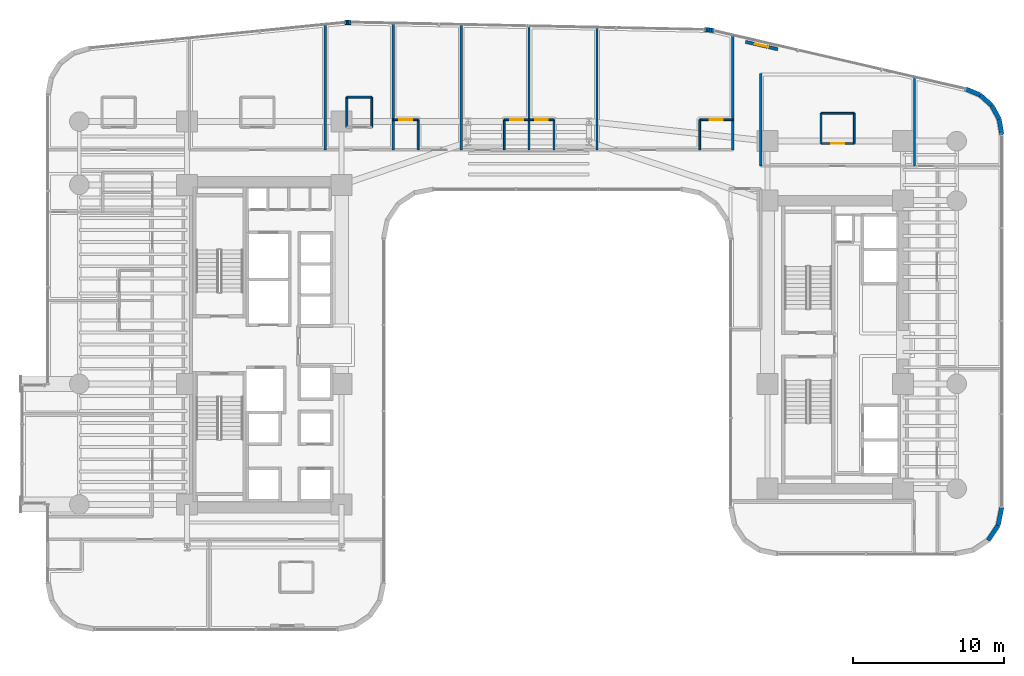
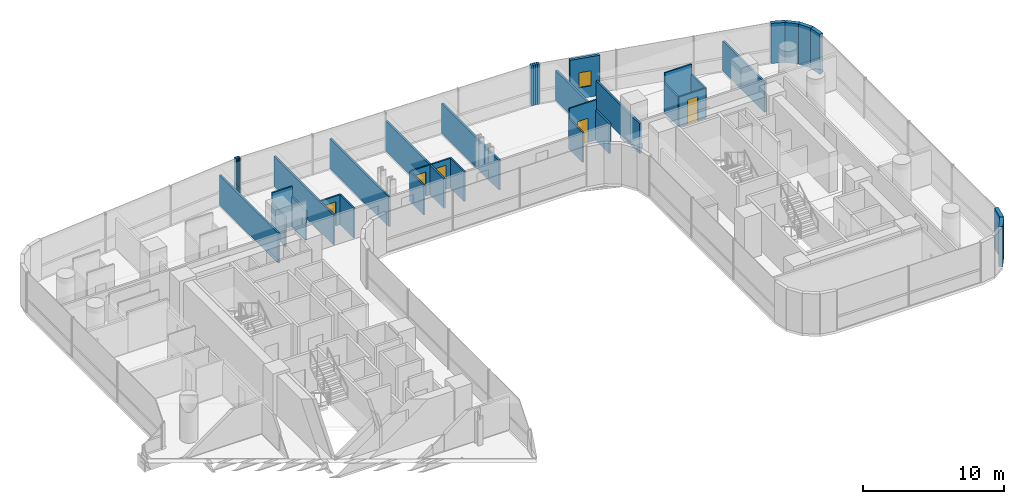
# One storey, part 34 of 40: 38 walls, 5 doors, 1 window, 6 openings.
"""IFC4 building model written with IfcOpenShell, lengths in metres."""

from ifc_helpers import new_model, si_unit, direction, frame, frame_2d, origin, place, context, subcontext, project, spatial, rectangle, extrude, material, layer, layer_set, type_object, element, fill, save


model = new_model("IFC4")

# Units and contexts
model_context = context("Model", 3, precision=1e-05, world=origin(), true_north=direction((0.0, 1.0)))
body_context = subcontext(model_context, "Body", "Model", "MODEL_VIEW")
ifc_project = project(units=[si_unit("LENGTHUNIT", "METRE"), si_unit("AREAUNIT", "SQUARE_METRE"), si_unit("VOLUMEUNIT", "CUBIC_METRE"), si_unit("PLANEANGLEUNIT", "RADIAN"), si_unit("MASSUNIT", "GRAM", prefix="KILO")], contexts=[model_context])

# Site, building, storey
site_placement = place(None, origin())
site = spatial("IfcSite", under=ifc_project, at=site_placement, CompositionType="ELEMENT")
building_placement = place(site_placement, origin())
building = spatial("IfcBuilding", under=site, at=building_placement, Name="Valdorenza Pilgrim Sanctuary Tower", CompositionType="ELEMENT")
storey_placement = place(building_placement, frame((0.0, 0.0, 92.60009765625)))
storey = spatial("IfcBuildingStorey", under=building, at=storey_placement, Name="L23", CompositionType="ELEMENT", Elevation=92.60009765625)

# Walls
ifc_material_1 = material(Name="Acoustic twin-stud gypsum partition", Category="gypsum")
ifc_layer_1 = layer(ifc_material_1, 0.159912109375, Name="Acoustic twin-stud gypsum partition")
ifc_layer_set_1 = layer_set([ifc_layer_1], Name="Acoustic twin-stud gypsum partition")
wall_type_1 = type_object("IfcWallType", Name="WAL-COR-160", PredefinedType="PARTITIONING", material=ifc_layer_set_1)
wall_1_placement = place(storey_placement, frame((13.550048828125, 12.919921875, 0.0), z_axis=(0.0, 0.0, 1.0), x_axis=(0.0, 1.0, 0.0)))
element("IfcWall", 1, at=wall_1_placement, inside=storey, type_object=wall_type_1, Name="L23 North Band East Closure", PredefinedType="PARTITIONING", context=body_context, shape_type="SweptSolid", body=[
    extrude(rectangle(XDim=7.609375, YDim=0.159912109375, at=frame_2d((3.8046875, 0.0))), origin(), (0.0, 0.0, 1.0), 2.5830078125),
])
wall_2_placement = place(storey_placement, frame((15.39990234375, 11.85009765625, 0.0), z_axis=(0.0, 0.0, 1.0), x_axis=(0.0, 1.0, 0.0)))
element("IfcWall", 2, at=wall_2_placement, inside=storey, type_object=wall_type_1, Name="L23 Wing B North West Wall", PredefinedType="PARTITIONING", context=body_context, shape_type="SweptSolid", body=[
    extrude(rectangle(XDim=6.14990234375, YDim=0.159912109375, at=frame_2d((3.074951171875, 0.0))), origin(), (0.0, 0.0, 1.0), 2.5830078125),
])
wall_3_placement = place(storey_placement, frame((25.60009765625, 11.85009765625, 0.0), z_axis=(0.0, 0.0, 1.0), x_axis=(0.0, 1.0, 0.0)))
element("IfcWall", 3, at=wall_3_placement, inside=storey, type_object=wall_type_1, Name="L23 Wing B North East Wall", PredefinedType="PARTITIONING", context=body_context, shape_type="SweptSolid", body=[
    extrude(rectangle(XDim=5.8984375, YDim=0.159912109375, at=frame_2d((2.94921875, 0.0))), origin(), (0.0, 0.0, 1.0), 2.5830078125),
])
ifc_material_2 = material(Name="Honed travertine limestone", Category="masonry")
ifc_layer_2 = layer(ifc_material_2, 0.300048828125, Name="Honed travertine limestone")
ifc_layer_set_2 = layer_set([ifc_layer_2], Name="Honed travertine limestone")
wall_type_2 = type_object("IfcWallType", Name="WAL-EXT-300", PredefinedType="SOLIDWALL", material=ifc_layer_set_2)
wall_4_placement = place(storey_placement, frame((-12.181884765625, 21.371337890625, 0.0), z_axis=(0.0, 0.0, 1.0), x_axis=(0.996527790842, 0.08326080759, 0.0)))
element("IfcWall", 4, at=wall_4_placement, inside=storey, type_object=wall_type_2, Name="L23 Rounded Wind-Corner Stone Pier 7", PredefinedType="SOLIDWALL", context=body_context, shape_type="SweptSolid", body=[
    extrude(rectangle(XDim=0.09375, YDim=0.300048828125, at=frame_2d((0.046875, 0.0))), origin(), (0.0, 0.0, 1.0), 3.4599609375),
])
wall_5_placement = place(storey_placement, frame((-12.08837890625, 21.379150390625, 0.0), z_axis=(0.0, 0.0, 1.0), x_axis=(0.998476480444, 0.055178963393, 0.0)))
element("IfcWall", 5, at=wall_5_placement, inside=storey, type_object=wall_type_2, Name="L23 Rounded Wind-Corner Stone Pier 8", PredefinedType="SOLIDWALL", context=body_context, shape_type="SweptSolid", body=[
    extrude(rectangle(XDim=0.093017578125, YDim=0.300048828125, at=frame_2d((0.04638671875, 0.0))), origin(), (0.0, 0.0, 1.0), 3.4599609375),
])
wall_6_placement = place(storey_placement, frame((-11.99560546875, 21.38427734375, 0.0), z_axis=(0.0, 0.0, 1.0), x_axis=(0.999722573757, 0.023553673204, 0.0)))
element("IfcWall", 6, at=wall_6_placement, inside=storey, type_object=wall_type_2, Name="L23 Rounded Wind-Corner Stone Pier 9", PredefinedType="SOLIDWALL", context=body_context, shape_type="SweptSolid", body=[
    extrude(rectangle(XDim=0.09326171875, YDim=0.300048828125, at=frame_2d((0.046630859375, 0.0))), origin(), (0.0, 0.0, 1.0), 3.4599609375),
])
wall_7_placement = place(storey_placement, frame((-11.90234375, 21.386474609375, 0.0), z_axis=(0.0, 0.0, 1.0), x_axis=(0.999986507273, -0.005194735103, 0.0)))
element("IfcWall", 7, at=wall_7_placement, inside=storey, type_object=wall_type_2, Name="L23 Rounded Wind-Corner Stone Pier 10", PredefinedType="SOLIDWALL", context=body_context, shape_type="SweptSolid", body=[
    extrude(rectangle(XDim=0.093994140625, YDim=0.300048828125, at=frame_2d((0.046875, 0.0))), origin(), (0.0, 0.0, 1.0), 3.4599609375),
])
wall_8_placement = place(storey_placement, frame((11.665771484375, 20.89697265625, 0.0), z_axis=(0.0, 0.0, 1.0), x_axis=(0.998885297239, -0.047203421059, 0.0)))
element("IfcWall", 8, at=wall_8_placement, inside=storey, type_object=wall_type_2, Name="L23 Rounded Wind-Corner Stone Pier 12", PredefinedType="SOLIDWALL", context=body_context, shape_type="SweptSolid", body=[
    extrude(rectangle(XDim=0.160400390625, YDim=0.300048828125, at=frame_2d((0.080078125, 0.0))), origin(), (0.0, 0.0, 1.0), 3.4599609375),
])
wall_9_placement = place(storey_placement, frame((11.825927734375, 20.889404296875, 0.0), z_axis=(0.0, 0.0, 1.0), x_axis=(0.995172891136, -0.098137234257, 0.0)))
element("IfcWall", 9, at=wall_9_placement, inside=storey, type_object=wall_type_2, Name="L23 Rounded Wind-Corner Stone Pier 13", PredefinedType="SOLIDWALL", context=body_context, shape_type="SweptSolid", body=[
    extrude(rectangle(XDim=0.1591796875, YDim=0.300048828125, at=frame_2d((0.07958984375, 0.0))), origin(), (0.0, 0.0, 1.0), 3.4599609375),
])
wall_10_placement = place(storey_placement, frame((11.984375, 20.873779296875, 0.0), z_axis=(0.0, 0.0, 1.0), x_axis=(0.988846069207, -0.148941100486, 0.0)))
element("IfcWall", 10, at=wall_10_placement, inside=storey, type_object=wall_type_2, Name="L23 Rounded Wind-Corner Stone Pier 14", PredefinedType="SOLIDWALL", context=body_context, shape_type="SweptSolid", body=[
    extrude(rectangle(XDim=0.158935546875, YDim=0.300048828125, at=frame_2d((0.07958984375, 0.0))), origin(), (0.0, 0.0, 1.0), 3.4599609375),
])
wall_11_placement = place(storey_placement, frame((12.1416015625, 20.85009765625, 0.0), z_axis=(0.0, 0.0, 1.0), x_axis=(0.979991950448, -0.19903712482, 0.0)))
element("IfcWall", 11, at=wall_11_placement, inside=storey, type_object=wall_type_2, Name="L23 Rounded Wind-Corner Stone Pier 15", PredefinedType="SOLIDWALL", context=body_context, shape_type="SweptSolid", body=[
    extrude(rectangle(XDim=0.16064453125, YDim=0.300048828125, at=frame_2d((0.080322265625, 0.0))), origin(), (0.0, 0.0, 1.0), 3.4599609375),
])

# Wall, opening, window
wall_12_placement = place(storey_placement, frame((14.388671875, 20.089599609375, 0.0), z_axis=(0.0, 0.0, 1.0), x_axis=(0.974400545997, -0.224818984875, 0.0)))
wall_12 = element("IfcWall", 12, at=wall_12_placement, inside=storey, type_object=wall_type_2, Name="L23 Operable Ventilation Sash Jamb Pier", PredefinedType="SOLIDWALL", context=body_context, shape_type="SweptSolid", body=[
    extrude(rectangle(XDim=2.2001953125, YDim=0.219970703125, at=frame_2d((1.10009765625, 0.0))), origin(), (0.0, 0.0, 1.0), 3.4599609375),
])
opening_1_placement = place(wall_12_placement, frame((0.64990234375, 0.0, 0.949951171875)))
opening_1 = element("IfcOpeningElement", 13, at=opening_1_placement, cuts=wall_12, Name="Opening WN-OP1", PredefinedType="OPENING", context=body_context, shape_type="SweptSolid", body=[
    extrude(rectangle(XDim=0.89990234375, YDim=1.300048828125, at=frame_2d((0.449951171875, 0.64990234375))), frame((0.0, 0.125, 0.0), z_axis=(0.0, -1.0, 0.0), x_axis=(1.0, 0.0, 0.0)), (0.0, 0.0, 1.0), 0.249755859375),
])
ifc_material_3 = material(Name="Ceramic-fritted low-E IGU glazing", Category="glass")
window_type = type_object("IfcWindowType", Name="WIN-OPN-900", PartitioningType="SINGLE_PANEL", PredefinedType="WINDOW", material=ifc_material_3)
window_placement = place(opening_1_placement, origin())
window = element("IfcWindow", 14, at=window_placement, inside=storey, type_object=window_type, Name="L23 Parallel-Pop-Out Operable Facade Panel", OverallHeight=1.300048828125, OverallWidth=0.89990234375, PartitioningType="SINGLE_PANEL", PredefinedType="WINDOW", context=body_context, shape_type="SweptSolid", body=[
    extrude(rectangle(XDim=0.89990234375, YDim=1.300048828125, at=frame_2d((0.449951171875, 0.64990234375))), frame((0.0, 0.030029296875, 0.0), z_axis=(0.0, -1.0, 0.0), x_axis=(1.0, 0.0, 0.0)), (0.0, 0.0, 1.0), 0.06005859375),
])
fill(opening_1, window)

# Walls
wall_13_placement = place(storey_placement, frame((28.98583984375, 16.96728515625, 0.0), z_axis=(0.0, 0.0, 1.0), x_axis=(0.923083852684, -0.384598753136, 0.0)))
element("IfcWall", 15, at=wall_13_placement, inside=storey, type_object=wall_type_2, Name="L23 Rounded Wind-Corner Stone Pier 17", PredefinedType="SOLIDWALL", context=body_context, shape_type="SweptSolid", body=[
    extrude(rectangle(XDim=1.042236328125, YDim=0.300048828125, at=frame_2d((0.52099609375, 0.0))), origin(), (0.0, 0.0, 1.0), 3.4599609375),
])
wall_14_placement = place(storey_placement, frame((29.947998046875, 16.56640625, 0.0), z_axis=(0.0, 0.0, 1.0), x_axis=(0.744585645533, -0.66752694063, 0.0)))
element("IfcWall", 16, at=wall_14_placement, inside=storey, type_object=wall_type_2, Name="L23 Rounded Wind-Corner Stone Pier 18", PredefinedType="SOLIDWALL", context=body_context, shape_type="SweptSolid", body=[
    extrude(rectangle(XDim=1.032958984375, YDim=0.300048828125, at=frame_2d((0.5166015625, 0.0))), origin(), (0.0, 0.0, 1.0), 3.4599609375),
])
wall_15_placement = place(storey_placement, frame((30.717041015625, 15.876953125, 0.0), z_axis=(0.0, 0.0, 1.0), x_axis=(0.482971098131, -0.875636293429, 0.0)))
element("IfcWall", 17, at=wall_15_placement, inside=storey, type_object=wall_type_2, Name="L23 Rounded Wind-Corner Stone Pier 19", PredefinedType="SOLIDWALL", context=body_context, shape_type="SweptSolid", body=[
    extrude(rectangle(XDim=1.03271484375, YDim=0.300048828125, at=frame_2d((0.516357421875, 0.0))), origin(), (0.0, 0.0, 1.0), 3.4599609375),
])
wall_16_placement = place(storey_placement, frame((31.2158203125, 14.97265625, 0.0), z_axis=(0.0, 0.0, 1.0), x_axis=(0.167019462117, -0.985953598946, 0.0)))
element("IfcWall", 18, at=wall_16_placement, inside=storey, type_object=wall_type_2, Name="L23 Rounded Wind-Corner Stone Pier 20", PredefinedType="SOLIDWALL", context=body_context, shape_type="SweptSolid", body=[
    extrude(rectangle(XDim=1.042236328125, YDim=0.300048828125, at=frame_2d((0.52099609375, 0.0))), origin(), (0.0, 0.0, 1.0), 3.4599609375),
])
wall_17_placement = place(storey_placement, frame((31.389892578125, -10.789306640625, 0.0), z_axis=(0.0, 0.0, 1.0), x_axis=(-0.194996050505, -0.980804027463, 0.0)))
element("IfcWall", 19, at=wall_17_placement, inside=storey, type_object=wall_type_2, Name="L23 Rounded Wind-Corner Stone Pier 22", PredefinedType="SOLIDWALL", context=body_context, shape_type="SweptSolid", body=[
    extrude(rectangle(XDim=1.2158203125, YDim=0.300048828125, at=frame_2d((0.60791015625, 0.0))), origin(), (0.0, 0.0, 1.0), 3.4599609375),
])
wall_18_placement = place(storey_placement, frame((31.15283203125, -11.981689453125, 0.0), z_axis=(0.0, 0.0, 1.0), x_axis=(-0.555635100982, -0.831426265255, 0.0)))
element("IfcWall", 20, at=wall_18_placement, inside=storey, type_object=wall_type_2, Name="L23 Rounded Wind-Corner Stone Pier 23", PredefinedType="SOLIDWALL", context=body_context, shape_type="SweptSolid", body=[
    extrude(rectangle(XDim=1.204833984375, YDim=0.300048828125, at=frame_2d((0.6025390625, 0.0))), origin(), (0.0, 0.0, 1.0), 3.4599609375),
])
ifc_material_4 = material(Name="Moisture-resistant gypsum partition", Category="gypsum")
ifc_layer_3 = layer(ifc_material_4, 0.1201171875, Name="Moisture-resistant gypsum partition")
ifc_layer_set_3 = layer_set([ifc_layer_3], Name="Moisture-resistant gypsum partition")
wall_type_3 = type_object("IfcWallType", Name="WAL-INT-120", PredefinedType="PARTITIONING", material=ifc_layer_set_3)
for number, where, z_axis, x_axis, name in (
    (21, (-12.052490234375, 14.419921875, 0.0), (0.0, 0.0, 1.0), (0.0, 1.0, 0.0), "L23 North Guest Room L23-N3A En-suite West Wall"),
    (22, (-10.402587890625, 14.419921875, 0.0), (0.0, 0.0, 1.0), (0.0, 1.0, 0.0), "L23 North Guest Room L23-N3A En-suite East Wall"),
):
    element("IfcWall", number, at=place(storey_placement, frame(where, z_axis=z_axis, x_axis=x_axis)), inside=storey, type_object=wall_type_3, Name=name, PredefinedType="PARTITIONING", context=body_context, shape_type="SweptSolid", body=[
        extrude(rectangle(XDim=2.0, YDim=0.1201171875, at=frame_2d((1.0, 0.0))), origin(), (0.0, 0.0, 1.0), 2.5830078125),
    ])
wall_19_placement = place(storey_placement, frame((-12.052490234375, 16.419921875, 0.0), z_axis=(0.0, 0.0, 1.0), x_axis=(1.0, 0.0, 0.0)))
element("IfcWall", 23, at=wall_19_placement, inside=storey, type_object=wall_type_3, Name="L23 North Guest Room L23-N3A En-suite Back Wall", PredefinedType="PARTITIONING", context=body_context, shape_type="SweptSolid", body=[
    extrude(rectangle(XDim=1.64990234375, YDim=0.1201171875, at=frame_2d((0.824951171875, 0.0))), origin(), (0.0, 0.0, 1.0), 3.4599609375),
])
wall_20_placement = place(storey_placement, frame((-7.324951171875, 12.919921875, 0.0), z_axis=(0.0, 0.0, 1.0), x_axis=(0.0, 1.0, 0.0)))
element("IfcWall", 24, at=wall_20_placement, inside=storey, type_object=wall_type_3, Name="L23 North Guest Room L23-N3B En-suite East Wall", PredefinedType="PARTITIONING", context=body_context, shape_type="SweptSolid", body=[
    extrude(rectangle(XDim=2.0, YDim=0.1201171875, at=frame_2d((1.0, 0.0))), origin(), (0.0, 0.0, 1.0), 2.5830078125),
])

# Wall, opening, door
wall_21_placement = place(storey_placement, frame((-8.97509765625, 14.919921875, 0.0), z_axis=(0.0, 0.0, 1.0), x_axis=(1.0, 0.0, 0.0)))
wall_21 = element("IfcWall", 25, at=wall_21_placement, inside=storey, type_object=wall_type_3, Name="L23 North Guest Room L23-N3B En-suite Door Wall", PredefinedType="PARTITIONING", context=body_context, shape_type="SweptSolid", body=[
    extrude(rectangle(XDim=1.650146484375, YDim=0.1201171875, at=frame_2d((0.8251953125, 0.0))), origin(), (0.0, 0.0, 1.0), 2.5830078125),
])
opening_2_placement = place(wall_21_placement, frame((0.39990234375, 0.0, 0.0)))
opening_2 = element("IfcOpeningElement", 26, at=opening_2_placement, cuts=wall_21, Name="Opening DR-WC1", PredefinedType="OPENING", context=body_context, shape_type="SweptSolid", body=[
    extrude(rectangle(XDim=0.85009765625, YDim=2.10009765625, at=frame_2d((0.425048828125, 1.050048828125))), frame((0.0, 0.074951171875, 0.0), z_axis=(0.0, -1.0, 0.0), x_axis=(1.0, 0.0, 0.0)), (0.0, 0.0, 1.0), 0.14990234375),
])
ifc_material_5 = material(Name="Moisture-resistant lacquered timber", Category="wood")
door_type = type_object("IfcDoorType", Name="DR-BATH-850", OperationType="NOTDEFINED", PredefinedType="DOOR", material=ifc_material_5)
door_1_placement = place(opening_2_placement, origin())
door_1 = element("IfcDoor", 27, at=door_1_placement, inside=storey, type_object=door_type, Name="L23 North Guest Room L23-N3B En-suite Bathroom Door", OperationType="SINGLE_SWING_RIGHT", OverallHeight=2.10009765625, OverallWidth=0.85009765625, PredefinedType="DOOR", context=body_context, shape_type="SweptSolid", body=[
    extrude(rectangle(XDim=0.85009765625, YDim=2.10009765625, at=frame_2d((0.425048828125, 1.050048828125))), frame((0.0, 0.02490234375, 0.0), z_axis=(0.0, -1.0, 0.0), x_axis=(1.0, 0.0, 0.0)), (0.0, 0.0, 1.0), 0.050048828125),
])
fill(opening_2, door_1)

# Wall
wall_22_placement = place(storey_placement, frame((-1.614990234375, 12.919921875, 0.0), z_axis=(0.0, 0.0, 1.0), x_axis=(0.0, 1.0, 0.0)))
element("IfcWall", 28, at=wall_22_placement, inside=storey, type_object=wall_type_3, Name="L23 North Guest Room L23-N4A En-suite West Wall", PredefinedType="PARTITIONING", context=body_context, shape_type="SweptSolid", body=[
    extrude(rectangle(XDim=2.0, YDim=0.1201171875, at=frame_2d((1.0, 0.0))), origin(), (0.0, 0.0, 1.0), 2.5830078125),
])

# Wall, opening, door
wall_23_placement = place(storey_placement, frame((-1.614990234375, 14.919921875, 0.0), z_axis=(0.0, 0.0, 1.0), x_axis=(1.0, 0.0, 0.0)))
wall_23 = element("IfcWall", 29, at=wall_23_placement, inside=storey, type_object=wall_type_3, Name="L23 North Guest Room L23-N4A En-suite Door Wall", PredefinedType="PARTITIONING", context=body_context, shape_type="SweptSolid", body=[
    extrude(rectangle(XDim=1.64990234375, YDim=0.1201171875, at=frame_2d((0.824951171875, 0.0))), origin(), (0.0, 0.0, 1.0), 2.5830078125),
])
opening_3_placement = place(wall_23_placement, frame((0.39990234375, 0.0, 0.0)))
opening_3 = element("IfcOpeningElement", 30, at=opening_3_placement, cuts=wall_23, Name="Opening DR-WC1", PredefinedType="OPENING", context=body_context, shape_type="SweptSolid", body=[
    extrude(rectangle(XDim=0.85009765625, YDim=2.10009765625, at=frame_2d((0.425048828125, 1.050048828125))), frame((0.0, 0.074951171875, 0.0), z_axis=(0.0, -1.0, 0.0), x_axis=(1.0, 0.0, 0.0)), (0.0, 0.0, 1.0), 0.14990234375),
])
door_2_placement = place(opening_3_placement, origin())
door_2 = element("IfcDoor", 31, at=door_2_placement, inside=storey, type_object=door_type, Name="L23 North Guest Room L23-N4A En-suite Bathroom Door", OperationType="SINGLE_SWING_RIGHT", OverallHeight=2.10009765625, OverallWidth=0.85009765625, PredefinedType="DOOR", context=body_context, shape_type="SweptSolid", body=[
    extrude(rectangle(XDim=0.85009765625, YDim=2.10009765625, at=frame_2d((0.425048828125, 1.050048828125))), frame((0.0, 0.02490234375, 0.0), z_axis=(0.0, -1.0, 0.0), x_axis=(1.0, 0.0, 0.0)), (0.0, 0.0, 1.0), 0.050048828125),
])
fill(opening_3, door_2)

# Wall
wall_24_placement = place(storey_placement, frame((1.68505859375, 12.919921875, 0.0), z_axis=(0.0, 0.0, 1.0), x_axis=(0.0, 1.0, 0.0)))
element("IfcWall", 32, at=wall_24_placement, inside=storey, type_object=wall_type_3, Name="L23 North Guest Room L23-N4B En-suite East Wall", PredefinedType="PARTITIONING", context=body_context, shape_type="SweptSolid", body=[
    extrude(rectangle(XDim=2.0, YDim=0.1201171875, at=frame_2d((1.0, 0.0))), origin(), (0.0, 0.0, 1.0), 2.5830078125),
])

# Wall, opening, door
wall_25_placement = place(storey_placement, frame((0.034912109375, 14.919921875, 0.0), z_axis=(0.0, 0.0, 1.0), x_axis=(1.0, 0.0, 0.0)))
wall_25 = element("IfcWall", 33, at=wall_25_placement, inside=storey, type_object=wall_type_3, Name="L23 North Guest Room L23-N4B En-suite Door Wall", PredefinedType="PARTITIONING", context=body_context, shape_type="SweptSolid", body=[
    extrude(rectangle(XDim=1.650146484375, YDim=0.1201171875, at=frame_2d((0.8251953125, 0.0))), origin(), (0.0, 0.0, 1.0), 2.5830078125),
])
opening_4_placement = place(wall_25_placement, frame((0.39990234375, 0.0, 0.0)))
opening_4 = element("IfcOpeningElement", 34, at=opening_4_placement, cuts=wall_25, Name="Opening DR-WC1", PredefinedType="OPENING", context=body_context, shape_type="SweptSolid", body=[
    extrude(rectangle(XDim=0.85009765625, YDim=2.10009765625, at=frame_2d((0.425048828125, 1.050048828125))), frame((0.0, 0.074951171875, 0.0), z_axis=(0.0, -1.0, 0.0), x_axis=(1.0, 0.0, 0.0)), (0.0, 0.0, 1.0), 0.14990234375),
])
door_3_placement = place(opening_4_placement, origin())
door_3 = element("IfcDoor", 35, at=door_3_placement, inside=storey, type_object=door_type, Name="L23 North Guest Room L23-N4B En-suite Bathroom Door", OperationType="SINGLE_SWING_RIGHT", OverallHeight=2.10009765625, OverallWidth=0.85009765625, PredefinedType="DOOR", context=body_context, shape_type="SweptSolid", body=[
    extrude(rectangle(XDim=0.85009765625, YDim=2.10009765625, at=frame_2d((0.425048828125, 1.050048828125))), frame((0.0, 0.02490234375, 0.0), z_axis=(0.0, -1.0, 0.0), x_axis=(1.0, 0.0, 0.0)), (0.0, 0.0, 1.0), 0.050048828125),
])
fill(opening_4, door_3)

# Wall
wall_26_placement = place(storey_placement, frame((11.35009765625, 12.919921875, 0.0), z_axis=(0.0, 0.0, 1.0), x_axis=(0.0, 1.0, 0.0)))
element("IfcWall", 36, at=wall_26_placement, inside=storey, type_object=wall_type_3, Name="L23 North Guest Room L23-N5 En-suite West Wall", PredefinedType="PARTITIONING", context=body_context, shape_type="SweptSolid", body=[
    extrude(rectangle(XDim=2.0, YDim=0.1201171875, at=frame_2d((1.0, 0.0))), origin(), (0.0, 0.0, 1.0), 2.5830078125),
])

# Wall, opening, door
wall_27_placement = place(storey_placement, frame((11.35009765625, 14.919921875, 0.0), z_axis=(0.0, 0.0, 1.0), x_axis=(1.0, 0.0, 0.0)))
wall_27 = element("IfcWall", 37, at=wall_27_placement, inside=storey, type_object=wall_type_3, Name="L23 North Guest Room L23-N5 En-suite Door Wall", PredefinedType="PARTITIONING", context=body_context, shape_type="SweptSolid", body=[
    extrude(rectangle(XDim=2.199951171875, YDim=0.1201171875, at=frame_2d((1.10009765625, 0.0))), origin(), (0.0, 0.0, 1.0), 3.4599609375),
])
opening_5_placement = place(wall_27_placement, frame((0.675048828125, 0.0, 0.0)))
opening_5 = element("IfcOpeningElement", 38, at=opening_5_placement, cuts=wall_27, Name="Opening DR-WC1", PredefinedType="OPENING", context=body_context, shape_type="SweptSolid", body=[
    extrude(rectangle(XDim=0.85009765625, YDim=2.10009765625, at=frame_2d((0.425048828125, 1.050048828125))), frame((0.0, 0.074951171875, 0.0), z_axis=(0.0, -1.0, 0.0), x_axis=(1.0, 0.0, 0.0)), (0.0, 0.0, 1.0), 0.14990234375),
])
door_4_placement = place(opening_5_placement, origin())
door_4 = element("IfcDoor", 39, at=door_4_placement, inside=storey, type_object=door_type, Name="L23 North Guest Room L23-N5 En-suite Bathroom Door", OperationType="SINGLE_SWING_RIGHT", OverallHeight=2.10009765625, OverallWidth=0.85009765625, PredefinedType="DOOR", context=body_context, shape_type="SweptSolid", body=[
    extrude(rectangle(XDim=0.85009765625, YDim=2.10009765625, at=frame_2d((0.425048828125, 1.050048828125))), frame((0.0, 0.02490234375, 0.0), z_axis=(0.0, -1.0, 0.0), x_axis=(1.0, 0.0, 0.0)), (0.0, 0.0, 1.0), 0.050048828125),
])
fill(opening_5, door_4)

# Walls
for number, where, z_axis, x_axis, name in (
    (40, (19.39990234375, 13.35009765625, 0.0), (0.0, 0.0, 1.0), (0.0, 1.0, 0.0), "L23 East North Guest Room L23-EN1 En-suite West Wall"),
    (41, (21.60009765625, 13.35009765625, 0.0), (0.0, 0.0, 1.0), (0.0, 1.0, 0.0), "L23 East North Guest Room L23-EN1 En-suite East Wall"),
):
    element("IfcWall", number, at=place(storey_placement, frame(where, z_axis=z_axis, x_axis=x_axis)), inside=storey, type_object=wall_type_3, Name=name, PredefinedType="PARTITIONING", context=body_context, shape_type="SweptSolid", body=[
        extrude(rectangle(XDim=2.0, YDim=0.1201171875, at=frame_2d((1.0, 0.0))), origin(), (0.0, 0.0, 1.0), 2.5830078125),
    ])
wall_28_placement = place(storey_placement, frame((19.39990234375, 15.35009765625, 0.0), z_axis=(0.0, 0.0, 1.0), x_axis=(1.0, 0.0, 0.0)))
element("IfcWall", 42, at=wall_28_placement, inside=storey, type_object=wall_type_3, Name="L23 East North Guest Room L23-EN1 En-suite Back Wall", PredefinedType="PARTITIONING", context=body_context, shape_type="SweptSolid", body=[
    extrude(rectangle(XDim=2.2001953125, YDim=0.1201171875, at=frame_2d((1.10009765625, 0.0))), origin(), (0.0, 0.0, 1.0), 3.4599609375),
])

# Wall, opening, door
wall_29_placement = place(storey_placement, frame((19.39990234375, 13.35009765625, 0.0), z_axis=(0.0, 0.0, 1.0), x_axis=(1.0, 0.0, 0.0)))
wall_29 = element("IfcWall", 43, at=wall_29_placement, inside=storey, type_object=wall_type_3, Name="L23 East North Guest Room L23-EN1 En-suite Door Wall", PredefinedType="PARTITIONING", context=body_context, shape_type="SweptSolid", body=[
    extrude(rectangle(XDim=2.2001953125, YDim=0.1201171875, at=frame_2d((1.10009765625, 0.0))), origin(), (0.0, 0.0, 1.0), 2.5830078125),
])
opening_6_placement = place(wall_29_placement, frame((0.675048828125, 0.0, 0.0)))
opening_6 = element("IfcOpeningElement", 44, at=opening_6_placement, cuts=wall_29, Name="Opening DR-WC1", PredefinedType="OPENING", context=body_context, shape_type="SweptSolid", body=[
    extrude(rectangle(XDim=0.85009765625, YDim=2.10009765625, at=frame_2d((0.425048828125, 1.050048828125))), frame((0.0, 0.074951171875, 0.0), z_axis=(0.0, -1.0, 0.0), x_axis=(1.0, 0.0, 0.0)), (0.0, 0.0, 1.0), 0.14990234375),
])
door_5_placement = place(opening_6_placement, origin())
door_5 = element("IfcDoor", 45, at=door_5_placement, inside=storey, type_object=door_type, Name="L23 East North Guest Room L23-EN1 En-suite Bathroom Door", OperationType="SINGLE_SWING_RIGHT", OverallHeight=2.10009765625, OverallWidth=0.85009765625, PredefinedType="DOOR", context=body_context, shape_type="SweptSolid", body=[
    extrude(rectangle(XDim=0.85009765625, YDim=2.10009765625, at=frame_2d((0.425048828125, 1.050048828125))), frame((0.0, 0.02490234375, 0.0), z_axis=(0.0, -1.0, 0.0), x_axis=(1.0, 0.0, 0.0)), (0.0, 0.0, 1.0), 0.050048828125),
])
fill(opening_6, door_5)

# Walls
ifc_layer_4 = layer(ifc_material_1, 0.14990234375, Name="Acoustic twin-stud gypsum partition")
ifc_layer_set_4 = layer_set([ifc_layer_4], Name="Acoustic twin-stud gypsum partition")
wall_type_4 = type_object("IfcWallType", Name="WAL-UNT-150", PredefinedType="PARTITIONING", material=ifc_layer_set_4)
wall_30_placement = place(storey_placement, frame((-13.47998046875, 12.919921875, 0.0), z_axis=(0.0, 0.0, 1.0), x_axis=(0.0, 1.0, 0.0)))
element("IfcWall", 46, at=wall_30_placement, inside=storey, type_object=wall_type_4, Name="L23 North Demising 2", PredefinedType="PARTITIONING", context=body_context, shape_type="SweptSolid", body=[
    extrude(rectangle(XDim=8.321533203125, YDim=0.14990234375, at=frame_2d((4.16064453125, 0.0))), origin(), (0.0, 0.0, 1.0), 2.5830078125),
])
wall_31_placement = place(storey_placement, frame((-4.469970703125, 12.919921875, 0.0), z_axis=(0.0, 0.0, 1.0), x_axis=(0.0, 1.0, 0.0)))
element("IfcWall", 47, at=wall_31_placement, inside=storey, type_object=wall_type_4, Name="L23 North Demising 3", PredefinedType="PARTITIONING", context=body_context, shape_type="SweptSolid", body=[
    extrude(rectangle(XDim=8.313232421875, YDim=0.14990234375, at=frame_2d((4.15673828125, 0.0))), origin(), (0.0, 0.0, 1.0), 2.5830078125),
])
wall_32_placement = place(storey_placement, frame((4.5400390625, 12.919921875, 0.0), z_axis=(0.0, 0.0, 1.0), x_axis=(0.0, 1.0, 0.0)))
element("IfcWall", 48, at=wall_32_placement, inside=storey, type_object=wall_type_4, Name="L23 North Demising 4", PredefinedType="PARTITIONING", context=body_context, shape_type="SweptSolid", body=[
    extrude(rectangle(XDim=8.12548828125, YDim=0.14990234375, at=frame_2d((4.062744140625, 0.0))), origin(), (0.0, 0.0, 1.0), 2.5830078125),
])
wall_33_placement = place(storey_placement, frame((-8.97509765625, 12.919921875, 0.0), z_axis=(0.0, 0.0, 1.0), x_axis=(0.0, 1.0, 0.0)))
element("IfcWall", 49, at=wall_33_placement, inside=storey, type_object=wall_type_4, Name="L23 North Guest Room L23-N3 Split Wall", PredefinedType="PARTITIONING", context=body_context, shape_type="SweptSolid", body=[
    extrude(rectangle(XDim=8.406982421875, YDim=0.14990234375, at=frame_2d((4.20361328125, 0.0))), origin(), (0.0, 0.0, 1.0), 2.5830078125),
])
wall_34_placement = place(storey_placement, frame((0.034912109375, 12.919921875, 0.0), z_axis=(0.0, 0.0, 1.0), x_axis=(0.0, 1.0, 0.0)))
element("IfcWall", 50, at=wall_34_placement, inside=storey, type_object=wall_type_4, Name="L23 North Guest Room L23-N4 Split Wall", PredefinedType="PARTITIONING", context=body_context, shape_type="SweptSolid", body=[
    extrude(rectangle(XDim=8.219482421875, YDim=0.14990234375, at=frame_2d((4.10986328125, 0.0))), origin(), (0.0, 0.0, 1.0), 2.5830078125),
])

save(model, "model.ifc")
